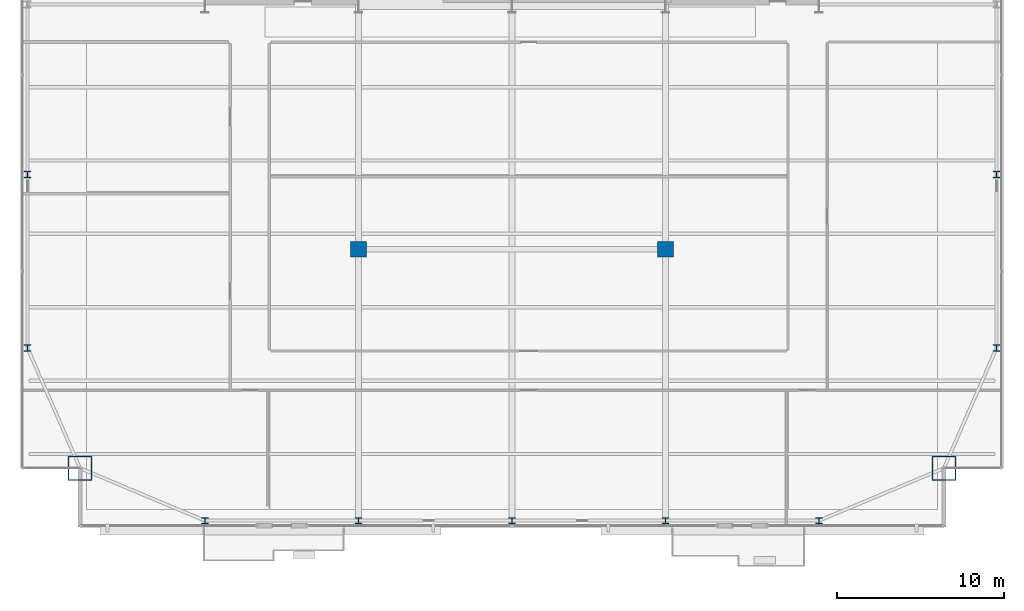
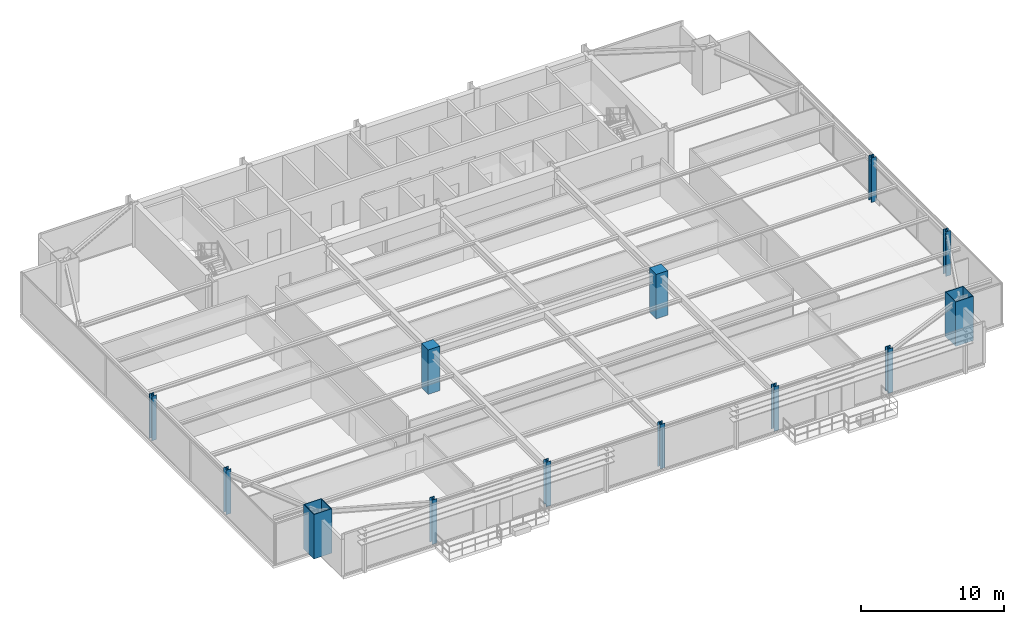
# One storey, part 1 of 34: 13 columns.
"""IFC4 building model written with IfcOpenShell, lengths in metres."""

from ifc_helpers import new_model, si_unit, direction, frame, origin, origin_2d, place, context, subcontext, project, spatial, rectangle, hollow_rectangle, i_section, extrude, source, transform, mapped, material, material_profile, profile_set, type_object, type_shapes, element, save


model = new_model("IFC4")

# Units and contexts
model_context = context("Model", 3, precision=1e-05, world=origin(), true_north=direction((0.0, 1.0)))
body_context = subcontext(model_context, "Body", "Model", "MODEL_VIEW")
ifc_project = project(units=[si_unit("LENGTHUNIT", "METRE"), si_unit("AREAUNIT", "SQUARE_METRE"), si_unit("VOLUMEUNIT", "CUBIC_METRE"), si_unit("PLANEANGLEUNIT", "RADIAN"), si_unit("MASSUNIT", "GRAM", prefix="KILO")], contexts=[model_context])

# Site, building, storey
site_placement = place(None, origin())
site = spatial("IfcSite", under=ifc_project, at=site_placement, CompositionType="ELEMENT")
building_placement = place(site_placement, origin())
building = spatial("IfcBuilding", under=site, at=building_placement, Name="Varnel Quay Broadcast Tower", CompositionType="ELEMENT")
storey_placement = place(building_placement, frame((0.0, 0.0, 110.60009765625)))
storey = spatial("IfcBuildingStorey", under=building, at=storey_placement, Name="L26", CompositionType="ELEMENT", Elevation=110.60009765625)

# Columns
ifc_material_1 = material(Name="Structural Steel CSA G40.21 350WT", Category="steel")
ifc_material_profile_1 = material_profile(ifc_material_1, hollow_rectangle(XDim=1.449951171875, YDim=1.449951171875, WallThickness=0.054931640625, at=origin_2d()), Name="BOX1450X1450X55")
ifc_profile_set_1 = profile_set([ifc_material_profile_1], Name="Structural Steel CSA G40.21 350WT")
column_type_1 = type_object("IfcColumnType", Name="Col_BOX1450X1450X55", PredefinedType="COLUMN", material=ifc_profile_set_1)
shared_shape_1 = source(origin(), body_context, "Body", "SweptSolid", [
    extrude(hollow_rectangle(XDim=1.449951171875, YDim=1.449951171875, WallThickness=0.054931640625, at=origin_2d()), origin(), (0.0, 0.0, 1.0), 3.7998046875),
])
type_shapes(column_type_1, [shared_shape_1])
for number, where, z_axis, x_axis, name in (
    (1, (8.10009765625, 7.800048828125, 0.0), (0.0, 0.0, 1.0), (1.0, 0.0, 0.0), "L26 Column MC-SW"),
    (2, (59.89990234375, 7.800048828125, 0.0), (0.0, 0.0, 1.0), (1.0, 0.0, 0.0), "L26 Column MC-SE"),
):
    element("IfcColumn", number, at=place(storey_placement, frame(where, z_axis=z_axis, x_axis=x_axis)), inside=storey, type_object=column_type_1, Name=name, PredefinedType="COLUMN", context=body_context, shape_type="MappedRepresentation", body=[
        mapped(shared_shape_1, transform((0.0, 0.0, 0.0), x_axis=(1.0, 0.0, 0.0), y_axis=(0.0, 1.0, 0.0), z_axis=(0.0, 0.0, 1.0), scale=1.0)),
    ])
ifc_material_2 = material(Name="Structural Steel CSA G40.21 350W", Category="steel")
ifc_material_profile_2 = material_profile(ifc_material_2, i_section(OverallWidth=0.39794921875, OverallDepth=0.386962890625, WebThickness=0.02099609375, FlangeThickness=0.033203125, FilletRadius=0.01806640625, at=origin_2d()), Name="W360X262")
ifc_profile_set_2 = profile_set([ifc_material_profile_2], Name="Structural Steel CSA G40.21 350W")
column_type_2 = type_object("IfcColumnType", Name="Col_W360X262", PredefinedType="COLUMN", material=ifc_profile_set_2)
shared_shape_2 = source(origin(), body_context, "Body", "SweptSolid", [
    extrude(i_section(OverallWidth=0.39794921875, OverallDepth=0.386962890625, WebThickness=0.02099609375, FlangeThickness=0.033203125, FilletRadius=0.01806640625, at=origin_2d()), origin(), (0.0, 0.0, 1.0), 3.7998046875),
])
type_shapes(column_type_2, [shared_shape_2])
for number, where, z_axis, x_axis, name in (
    (3, (15.60009765625, 4.64990234375, 0.0), (0.0, 0.0, 1.0), (1.0, 0.0, 0.0), "L26 Column TC-S1"),
    (4, (24.800048828125, 4.64990234375, 0.0), (0.0, 0.0, 1.0), (1.0, 0.0, 0.0), "L26 Column TC-S2"),
    (5, (34.0, 4.64990234375, 0.0), (0.0, 0.0, 1.0), (1.0, 0.0, 0.0), "L26 Column TC-S3"),
    (6, (43.199951171875, 4.64990234375, 0.0), (0.0, 0.0, 1.0), (1.0, 0.0, 0.0), "L26 Column TC-S4"),
    (7, (52.39990234375, 4.64990234375, 0.0), (0.0, 0.0, 1.0), (1.0, 0.0, 0.0), "L26 Column TC-S5"),
    (8, (4.949951171875, 15.0, 0.0), (0.0, 0.0, 1.0), (1.0, 0.0, 0.0), "L26 Column TC-W1"),
    (9, (63.050048828125, 15.0, 0.0), (0.0, 0.0, 1.0), (1.0, 0.0, 0.0), "L26 Column TC-E1"),
    (10, (4.949951171875, 25.39990234375, 0.0), (0.0, 0.0, 1.0), (1.0, 0.0, 0.0), "L26 Column TC-W2"),
    (11, (63.050048828125, 25.39990234375, 0.0), (0.0, 0.0, 1.0), (1.0, 0.0, 0.0), "L26 Column TC-E2"),
):
    element("IfcColumn", number, at=place(storey_placement, frame(where, z_axis=z_axis, x_axis=x_axis)), inside=storey, type_object=column_type_2, Name=name, PredefinedType="COLUMN", context=body_context, shape_type="MappedRepresentation", body=[
        mapped(shared_shape_2, transform((0.0, 0.0, 0.0), x_axis=(1.0, 0.0, 0.0), y_axis=(0.0, 1.0, 0.0), z_axis=(0.0, 0.0, 1.0), scale=1.0)),
    ])
ifc_material_3 = material(Name="Concrete CSA A23.3 C50/60", Category="concrete")
ifc_material_profile_3 = material_profile(ifc_material_3, rectangle(XDim=0.949951171875, YDim=0.949951171875, at=origin_2d()), Name="RC950X950")
ifc_profile_set_3 = profile_set([ifc_material_profile_3], Name="Concrete CSA A23.3 C50/60")
column_type_3 = type_object("IfcColumnType", Name="Col_RC950X950", PredefinedType="COLUMN", material=ifc_profile_set_3)
shared_shape_3 = source(origin(), body_context, "Body", "SweptSolid", [
    extrude(rectangle(XDim=0.949951171875, YDim=0.949951171875, at=origin_2d()), origin(), (0.0, 0.0, 1.0), 3.7998046875),
])
type_shapes(column_type_3, [shared_shape_3])
for number, where, z_axis, x_axis, name in (
    (12, (24.800048828125, 20.929931640625, 0.0), (0.0, 0.0, 1.0), (1.0, 0.0, 0.0), "L26 Column IC-01"),
    (13, (43.199951171875, 20.929931640625, 0.0), (0.0, 0.0, 1.0), (1.0, 0.0, 0.0), "L26 Column IC-02"),
):
    element("IfcColumn", number, at=place(storey_placement, frame(where, z_axis=z_axis, x_axis=x_axis)), inside=storey, type_object=column_type_3, Name=name, PredefinedType="COLUMN", context=body_context, shape_type="MappedRepresentation", body=[
        mapped(shared_shape_3, transform((0.0, 0.0, 0.0), x_axis=(1.0, 0.0, 0.0), y_axis=(0.0, 1.0, 0.0), z_axis=(0.0, 0.0, 1.0), scale=1.0)),
    ])

save(model, "model.ifc")
